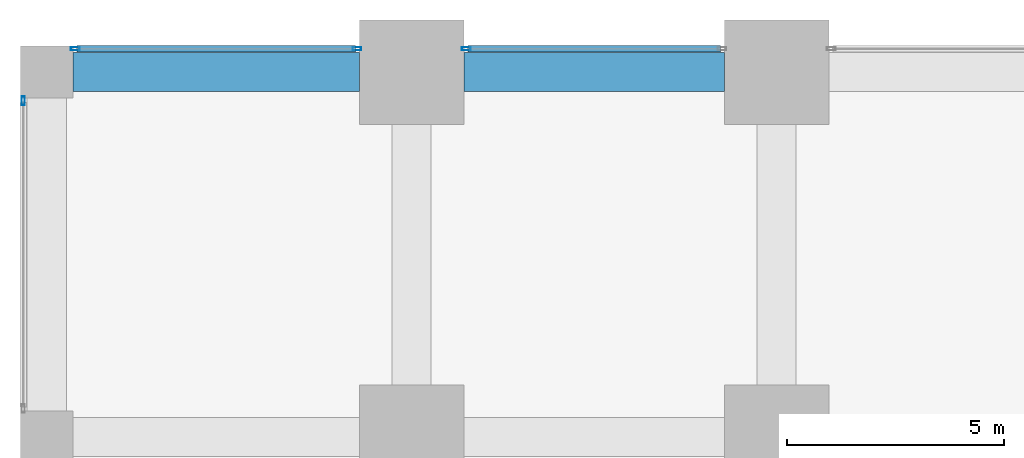
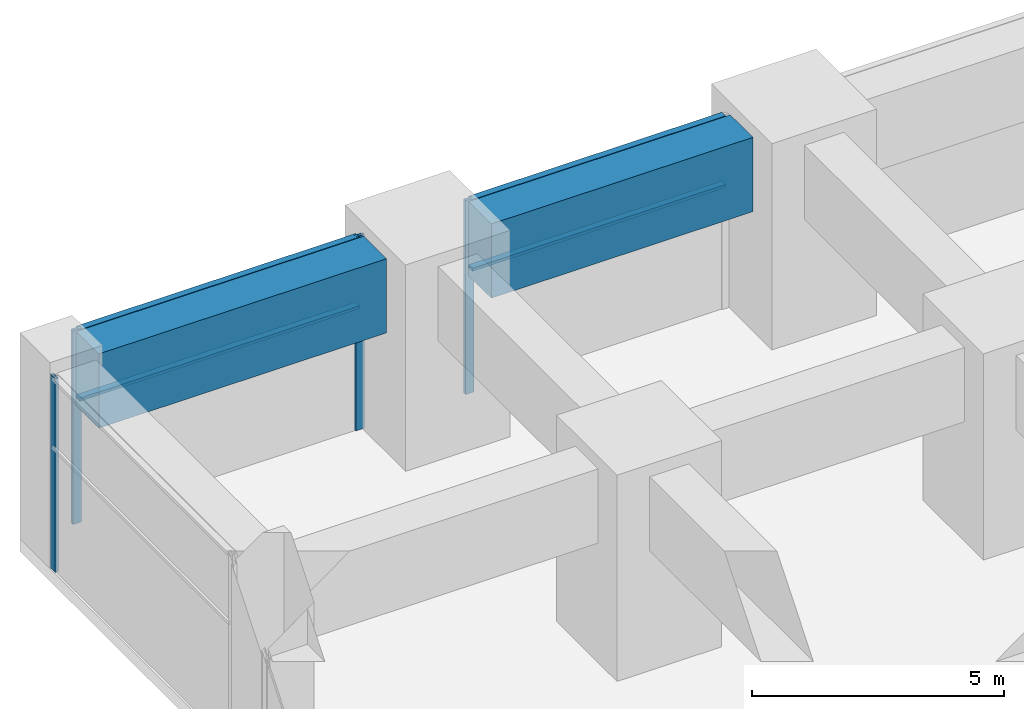
# One storey, part 23 of 48: 8 members, 2 beams, 3 elements without a shape of their own.
"""IFC4 building model written with IfcOpenShell, lengths in metres."""

from ifc_helpers import new_model, si_unit, direction, frame, origin, origin_2d, place, context, subcontext, project, spatial, rectangle, hollow_rectangle, extrude, material, material_profile, profile_set, type_object, element, aggregate, save


model = new_model("IFC4")

# Units and contexts
model_context = context("Model", 3, precision=1e-05, world=origin(), true_north=direction((0.0, 1.0)))
body_context = subcontext(model_context, "Body", "Model", "MODEL_VIEW")
ifc_project = project(units=[si_unit("LENGTHUNIT", "METRE"), si_unit("AREAUNIT", "SQUARE_METRE"), si_unit("VOLUMEUNIT", "CUBIC_METRE"), si_unit("PLANEANGLEUNIT", "RADIAN"), si_unit("MASSUNIT", "GRAM", prefix="KILO")], contexts=[model_context])

# Site, building, storey
site_placement = place(None, origin())
site = spatial("IfcSite", under=ifc_project, at=site_placement, CompositionType="ELEMENT")
building_placement = place(site_placement, origin())
building = spatial("IfcBuilding", under=site, at=building_placement, Name="Rekha Terrace Tower", CompositionType="ELEMENT")
storey_placement = place(building_placement, frame((0.0, 0.0, 15.39990234375)))
storey = spatial("IfcBuildingStorey", under=building, at=storey_placement, Name="L03", CompositionType="ELEMENT", Elevation=15.39990234375)

# Curtain wall, member
ifc_material_1 = material(Name="Aluminium framing", Category="aluminium")
curtain_wall_type = type_object("IfcCurtainWallType", Name="CW4 podium shopfront glazing", PredefinedType="USERDEFINED", material=ifc_material_1)
curtain_wall_1_placement = place(storey_placement, origin())
curtain_wall_1 = element("IfcCurtainWall", 1, at=curtain_wall_1_placement, inside=storey, type_object=curtain_wall_type, Name="CW4 shopfront curtain wall", ObjectType="SHOPFRONT CURTAIN WALL", PredefinedType="USERDEFINED")
ifc_material_2 = material(Name="Aluminium mullion section", Category="aluminium")
ifc_material_profile_1 = material_profile(ifc_material_2, hollow_rectangle(XDim=0.074951171875, YDim=0.199951171875, WallThickness=0.00390625, at=origin_2d()), Name="AL RHS 75x200")
ifc_profile_set_1 = profile_set([ifc_material_profile_1], Name="Aluminium mullion section")
member_type_1 = type_object("IfcMemberType", Name="CW4 mullion RHS 75 x 200", PredefinedType="MULLION", material=ifc_profile_set_1)
member_1_placement = place(storey_placement, frame((9.657470703125, 59.340087890625, 0.0), z_axis=(0.0, 0.0, 1.0), x_axis=(0.0, -1.0, 0.0)))
member_1 = element("IfcMember", 2, at=member_1_placement, type_object=member_type_1, Name="CW4 mullion 2", PredefinedType="MULLION", context=body_context, shape_type="SweptSolid", body=[
    extrude(hollow_rectangle(XDim=0.074951171875, YDim=0.199951171875, WallThickness=0.00390625, at=origin_2d()), origin(), (0.0, 0.0, 1.0), 4.7001953125),
])

# Curtain wall, members
curtain_wall_2_placement = place(storey_placement, origin())
curtain_wall_2 = element("IfcCurtainWall", 3, at=curtain_wall_2_placement, inside=storey, type_object=curtain_wall_type, Name="CW4 shopfront curtain wall", ObjectType="SHOPFRONT CURTAIN WALL", PredefinedType="USERDEFINED")
member_2_placement = place(storey_placement, frame((7.142578125, 59.340087890625, 0.0), z_axis=(0.0, 0.0, 1.0), x_axis=(0.0, -1.0, 0.0)))
member_2 = element("IfcMember", 4, at=member_2_placement, type_object=member_type_1, Name="CW4 mullion 1", PredefinedType="MULLION", context=body_context, shape_type="SweptSolid", body=[
    extrude(hollow_rectangle(XDim=0.074951171875, YDim=0.199951171875, WallThickness=0.00390625, at=origin_2d()), origin(), (0.0, 0.0, 1.0), 4.7001953125),
])
member_3_placement = place(storey_placement, frame((0.657470703125, 59.340087890625, 0.0), z_axis=(0.0, 0.0, 1.0), x_axis=(0.0, -1.0, 0.0)))
member_3 = element("IfcMember", 5, at=member_3_placement, type_object=member_type_1, Name="CW4 mullion 2", PredefinedType="MULLION", context=body_context, shape_type="SweptSolid", body=[
    extrude(hollow_rectangle(XDim=0.074951171875, YDim=0.199951171875, WallThickness=0.00390625, at=origin_2d()), origin(), (0.0, 0.0, 1.0), 4.7001953125),
])

# Curtain wall, member
curtain_wall_3_placement = place(storey_placement, origin())
curtain_wall_3 = element("IfcCurtainWall", 6, at=curtain_wall_3_placement, inside=storey, type_object=curtain_wall_type, Name="CW4 shopfront curtain wall", ObjectType="SHOPFRONT CURTAIN WALL", PredefinedType="USERDEFINED")
member_4_placement = place(storey_placement, frame((-0.5400390625, 58.142578125, 0.0), z_axis=(0.0, 0.0, 1.0), x_axis=(1.0, 0.0, 0.0)))
member_4 = element("IfcMember", 7, at=member_4_placement, type_object=member_type_1, Name="CW4 mullion 1", PredefinedType="MULLION", context=body_context, shape_type="SweptSolid", body=[
    extrude(hollow_rectangle(XDim=0.074951171875, YDim=0.199951171875, WallThickness=0.00390625, at=origin_2d()), origin(), (0.0, 0.0, 1.0), 4.7001953125),
])
aggregate(curtain_wall_3, [member_4])

# Member
ifc_material_3 = material(Name="Aluminium transom section", Category="aluminium")
ifc_material_profile_2 = material_profile(ifc_material_3, hollow_rectangle(XDim=0.14990234375, YDim=0.074951171875, WallThickness=0.0029296875, at=origin_2d()), Name="AL RHS 150x75")
ifc_profile_set_2 = profile_set([ifc_material_profile_2], Name="Aluminium transom section")
member_type_2 = type_object("IfcMemberType", Name="CW4 transom RHS 75 x 150", PredefinedType="USERDEFINED", material=ifc_profile_set_2)
member_5_placement = place(storey_placement, frame((15.5048828125, 59.340087890625, 3.0), z_axis=(-1.0, 0.0, 0.0), x_axis=(0.0, -1.0, 0.0)))
member_5 = element("IfcMember", 8, at=member_5_placement, type_object=member_type_2, Name="CW4 transom 1.2", ObjectType="TRANSOM", PredefinedType="USERDEFINED", context=body_context, shape_type="SweptSolid", body=[
    extrude(hollow_rectangle(XDim=0.14990234375, YDim=0.074951171875, WallThickness=0.0029296875, at=origin_2d()), origin(), (0.0, 0.0, 1.0), 5.809814453125),
])

member_6_placement = place(storey_placement, frame((15.5048828125, 59.340087890625, 4.66259765625), z_axis=(-1.0, 0.0, 0.0), x_axis=(0.0, -1.0, 0.0)))
member_6 = element("IfcMember", 9, at=member_6_placement, type_object=member_type_2, Name="CW4 transom 1.3", ObjectType="TRANSOM", PredefinedType="USERDEFINED", context=body_context, shape_type="SweptSolid", body=[
    extrude(hollow_rectangle(XDim=0.14990234375, YDim=0.074951171875, WallThickness=0.0029296875, at=origin_2d()), origin(), (0.0, 0.0, 1.0), 5.809814453125),
])

aggregate(curtain_wall_1, [member_1, member_5, member_6])

member_7_placement = place(storey_placement, frame((7.10498046875, 59.340087890625, 3.0), z_axis=(-1.0, 0.0, 0.0), x_axis=(0.0, -1.0, 0.0)))
member_7 = element("IfcMember", 10, at=member_7_placement, type_object=member_type_2, Name="CW4 transom 1.2", ObjectType="TRANSOM", PredefinedType="USERDEFINED", context=body_context, shape_type="SweptSolid", body=[
    extrude(hollow_rectangle(XDim=0.14990234375, YDim=0.074951171875, WallThickness=0.0029296875, at=origin_2d()), origin(), (0.0, 0.0, 1.0), 6.409912109375),
])

member_8_placement = place(storey_placement, frame((7.10498046875, 59.340087890625, 4.66259765625), z_axis=(-1.0, 0.0, 0.0), x_axis=(0.0, -1.0, 0.0)))
member_8 = element("IfcMember", 11, at=member_8_placement, type_object=member_type_2, Name="CW4 transom 1.3", ObjectType="TRANSOM", PredefinedType="USERDEFINED", context=body_context, shape_type="SweptSolid", body=[
    extrude(hollow_rectangle(XDim=0.14990234375, YDim=0.074951171875, WallThickness=0.0029296875, at=origin_2d()), origin(), (0.0, 0.0, 1.0), 6.409912109375),
])

aggregate(curtain_wall_2, [member_2, member_3, member_7, member_8])

# Beams
ifc_material_4 = material(Name="Concrete M60", Category="concrete")
ifc_material_profile_3 = material_profile(ifc_material_4, rectangle(XDim=0.89990234375, YDim=1.800048828125, at=origin_2d()), Name="RC 900x1800")
ifc_profile_set_3 = profile_set([ifc_material_profile_3], Name="Concrete M60")
beam_type = type_object("IfcBeamType", Name="G1 900x1800 podium floor beam", PredefinedType="BEAM", material=ifc_profile_set_3)
beam_1_placement = place(storey_placement, frame((0.60009765625, 58.800048828125, 3.800048828125), z_axis=(1.0, 0.0, 0.0), x_axis=(0.0, 1.0, 0.0)))
element("IfcBeam", 12, at=beam_1_placement, inside=storey, type_object=beam_type, Name="Beam G1 1H-2H under L04", PredefinedType="BEAM", context=body_context, shape_type="SweptSolid", body=[
    extrude(rectangle(XDim=0.89990234375, YDim=1.800048828125, at=origin_2d()), origin(), (0.0, 0.0, 1.0), 6.599853515625),
])
beam_2_placement = place(storey_placement, frame((9.60009765625, 58.800048828125, 3.800048828125), z_axis=(1.0, 0.0, 0.0), x_axis=(0.0, 1.0, 0.0)))
element("IfcBeam", 13, at=beam_2_placement, inside=storey, type_object=beam_type, Name="Beam G1 2H-3H under L04", PredefinedType="BEAM", context=body_context, shape_type="SweptSolid", body=[
    extrude(rectangle(XDim=0.89990234375, YDim=1.800048828125, at=origin_2d()), origin(), (0.0, 0.0, 1.0), 6.0),
])

save(model, "model.ifc")
